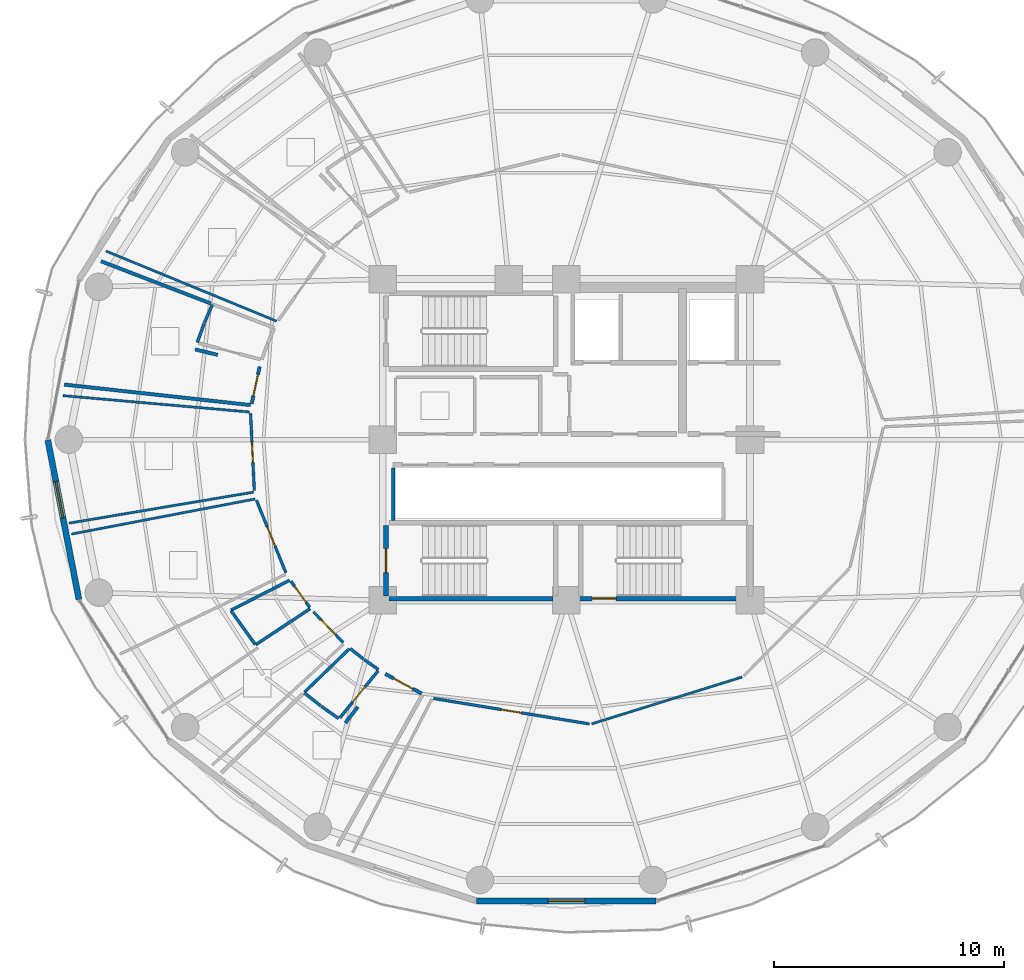
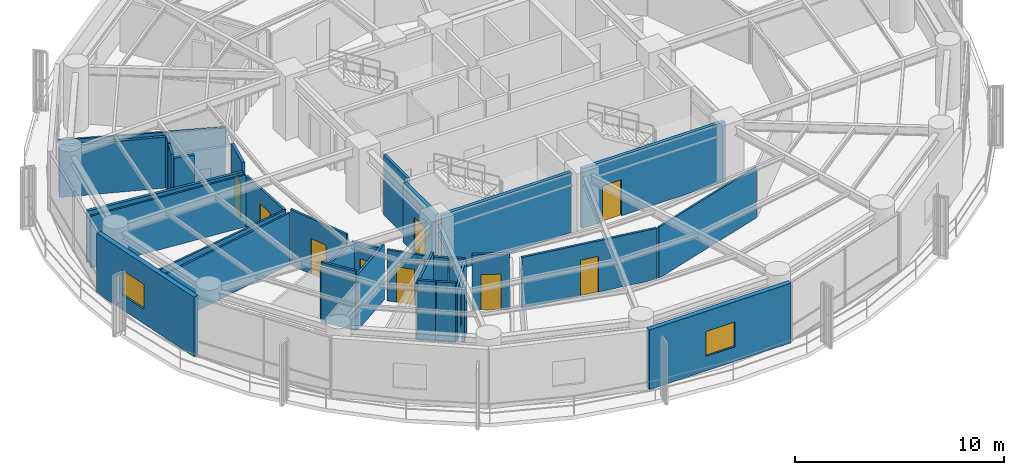
# One storey, part 21 of 28: 33 walls, 10 doors, 2 windows, 12 openings.
"""IFC4 building model written with IfcOpenShell, lengths in metres."""

from ifc_helpers import new_model, si_unit, direction, frame, frame_2d, origin, place, context, subcontext, project, spatial, rectangle, extrude, material, layer, layer_set, type_object, element, fill, save


model = new_model("IFC4")

# Units and contexts
model_context = context("Model", 3, precision=1e-05, world=origin(), true_north=direction((0.0, 1.0)))
body_context = subcontext(model_context, "Body", "Model", "MODEL_VIEW")
ifc_project = project(units=[si_unit("LENGTHUNIT", "METRE"), si_unit("AREAUNIT", "SQUARE_METRE"), si_unit("VOLUMEUNIT", "CUBIC_METRE"), si_unit("PLANEANGLEUNIT", "RADIAN"), si_unit("MASSUNIT", "GRAM", prefix="KILO")], contexts=[model_context])

# Site, building, storey
site_placement = place(None, origin())
site = spatial("IfcSite", under=ifc_project, at=site_placement, CompositionType="ELEMENT")
building_placement = place(site_placement, origin())
building = spatial("IfcBuilding", under=site, at=building_placement, Name="Kelanora Arch Commons", CompositionType="ELEMENT")
storey_placement = place(building_placement, frame((0.0, 0.0, 161.85009765625)))
storey = spatial("IfcBuildingStorey", under=building, at=storey_placement, Name="L41", CompositionType="ELEMENT", Elevation=161.85009765625)

# Wall
ifc_material_1 = material(Name="Autoclaved aerated concrete blockwork with fire plaster", Category="masonry")
ifc_layer_1 = layer(ifc_material_1, 0.14990234375)
ifc_layer_set_1 = layer_set([ifc_layer_1], Name="Autoclaved aerated concrete blockwork with fire plaster")
wall_type_1 = type_object("IfcWallType", Name="W-COMP-150", PredefinedType="PARTITIONING", material=ifc_layer_set_1)
wall_1_placement = place(storey_placement, frame((66.4599609375, 54.47998046875, 0.0), z_axis=(0.0, 0.0, 1.0), x_axis=(0.0, 1.0, 0.0)))
element("IfcWall", 1, at=wall_1_placement, inside=storey, type_object=wall_type_1, Name="South Lift Bank West Wall L41", PredefinedType="PARTITIONING", context=body_context, shape_type="SweptSolid", body=[
    extrude(rectangle(XDim=2.2900390625, YDim=0.14990234375, at=frame_2d((1.14501953125, 0.0))), origin(), (0.0, 0.0, 1.0), 3.47998046875),
])

# Wall, opening, door
wall_2_placement = place(storey_placement, frame((60.63623046875, 61.186279296875, 0.0), z_axis=(0.0, 0.0, 1.0), x_axis=(-0.211879832264, -0.977295726318, 0.0)))
wall_2 = element("IfcWall", 2, at=wall_2_placement, inside=storey, type_object=wall_type_1, Name="Cluster Bedroom L41-03 Entry Partition", PredefinedType="PARTITIONING", context=body_context, shape_type="SweptSolid", body=[
    extrude(rectangle(XDim=1.6591796875, YDim=0.14990234375, at=frame_2d((0.82958984375, 0.0))), origin(), (0.0, 0.0, 1.0), 3.47998046875),
])
opening_1_placement = place(wall_2_placement, frame((0.35498046875, 0.0, 0.0)))
opening_1 = element("IfcOpeningElement", 3, at=opening_1_placement, cuts=wall_2, Name="Opening D-CLU1", PredefinedType="OPENING", context=body_context, shape_type="SweptSolid", body=[
    extrude(rectangle(XDim=0.949951171875, YDim=2.080078125, at=frame_2d((0.47509765625, 1.0400390625))), frame((0.0, 0.0849609375, 0.0), z_axis=(0.0, -1.0, 0.0), x_axis=(1.0, 0.0, 0.0)), (0.0, 0.0, 1.0), 0.169921875),
])
ifc_material_2 = material(Name="Solid-core acoustic timber cluster entry fire door", Category="wood")
door_type_1 = type_object("IfcDoorType", Name="D-CLU-95", OperationType="NOTDEFINED", PredefinedType="DOOR", material=ifc_material_2)
door_1_placement = place(opening_1_placement, origin())
door_1 = element("IfcDoor", 4, at=door_1_placement, inside=storey, type_object=door_type_1, Name="Cluster Bedroom L41-03 Door", OperationType="SINGLE_SWING_RIGHT", OverallHeight=2.080078125, OverallWidth=0.949951171875, PredefinedType="DOOR", context=body_context, shape_type="SweptSolid", body=[
    extrude(rectangle(XDim=0.949951171875, YDim=2.080078125, at=frame_2d((0.47509765625, 1.0400390625))), frame((0.0, 0.02490234375, 0.0), z_axis=(0.0, -1.0, 0.0), x_axis=(1.0, 0.0, 0.0)), (0.0, 0.0, 1.0), 0.050048828125),
])
fill(opening_1, door_1)

wall_3_placement = place(storey_placement, frame((66.105712890625, 47.798583984375, 0.0), z_axis=(0.0, 0.0, 1.0), x_axis=(0.880052757217, -0.474875925389, 0.0)))
wall_3 = element("IfcWall", 5, at=wall_3_placement, inside=storey, type_object=wall_type_1, Name="Cluster Bedroom L41-07 Entry Partition", PredefinedType="PARTITIONING", context=body_context, shape_type="SweptSolid", body=[
    extrude(rectangle(XDim=1.800537109375, YDim=0.14990234375, at=frame_2d((0.900390625, 0.0))), origin(), (0.0, 0.0, 1.0), 3.23486328125),
])
opening_2_placement = place(wall_3_placement, frame((0.425048828125, 0.0, 0.0)))
opening_2 = element("IfcOpeningElement", 6, at=opening_2_placement, cuts=wall_3, Name="Opening D-CLU1", PredefinedType="OPENING", context=body_context, shape_type="SweptSolid", body=[
    extrude(rectangle(XDim=0.949951171875, YDim=2.080078125, at=frame_2d((0.47509765625, 1.0400390625))), frame((0.0, 0.0849609375, 0.0), z_axis=(0.0, -1.0, 0.0), x_axis=(1.0, 0.0, 0.0)), (0.0, 0.0, 1.0), 0.169921875),
])
door_2_placement = place(opening_2_placement, origin())
door_2 = element("IfcDoor", 7, at=door_2_placement, inside=storey, type_object=door_type_1, Name="Cluster Bedroom L41-07 Door", OperationType="SINGLE_SWING_RIGHT", OverallHeight=2.080078125, OverallWidth=0.949951171875, PredefinedType="DOOR", context=body_context, shape_type="SweptSolid", body=[
    extrude(rectangle(XDim=0.949951171875, YDim=2.080078125, at=frame_2d((0.47509765625, 1.0400390625))), frame((0.0, 0.02490234375, 0.0), z_axis=(0.0, -1.0, 0.0), x_axis=(1.0, 0.0, 0.0)), (0.0, 0.0, 1.0), 0.050048828125),
])
fill(opening_2, door_2)

# Walls
wall_4_placement = place(storey_placement, frame((60.232177734375, 59.510498046875, 0.0), z_axis=(0.0, 0.0, 1.0), x_axis=(-0.993990557846, 0.109465843587, 0.0)))
element("IfcWall", 8, at=wall_4_placement, inside=storey, type_object=wall_type_1, Name="Cluster Bedroom L41-03 Enclosure Partition 2", PredefinedType="PARTITIONING", context=body_context, shape_type="SweptSolid", body=[
    extrude(rectangle(XDim=8.158447265625, YDim=0.14990234375, at=frame_2d((4.0791015625, 0.0))), origin(), (0.0, 0.0, 1.0), 3.02490234375),
])
wall_5_placement = place(storey_placement, frame((53.723388671875, 65.776611328125, 0.0), z_axis=(0.0, 0.0, 1.0), x_axis=(0.933303856141, -0.359087610636, 0.0)))
element("IfcWall", 9, at=wall_5_placement, inside=storey, type_object=wall_type_1, Name="Cluster Bedroom L41-03 Enclosure Partition 5", PredefinedType="PARTITIONING", context=body_context, shape_type="SweptSolid", body=[
    extrude(rectangle(XDim=5.125, YDim=0.14990234375, at=frame_2d((2.5625, 0.0))), origin(), (0.0, 0.0, 1.0), 2.974853515625),
])
wall_6_placement = place(storey_placement, frame((57.82080078125, 61.935546875, 0.0), z_axis=(0.0, 0.0, 1.0), x_axis=(0.971451046406, -0.237240098712, 0.0)))
element("IfcWall", 10, at=wall_6_placement, inside=storey, type_object=wall_type_1, Name="Cluster Bedroom L41-03 Enclosure Partition 7", PredefinedType="PARTITIONING", context=body_context, shape_type="SweptSolid", body=[
    extrude(rectangle(XDim=1.009521484375, YDim=0.14990234375, at=frame_2d((0.5048828125, 0.0))), origin(), (0.0, 0.0, 1.0), 3.1748046875),
])
wall_7_placement = place(storey_placement, frame((64.37060546875, 45.66357421875, 0.0), z_axis=(0.0, 0.0, 1.0), x_axis=(0.613921364126, 0.789367188747, 0.0)))
element("IfcWall", 11, at=wall_7_placement, inside=storey, type_object=wall_type_1, Name="Cluster Bedroom L41-07 Enclosure Partition 7", PredefinedType="PARTITIONING", context=body_context, shape_type="SweptSolid", body=[
    extrude(rectangle(XDim=0.878173828125, YDim=0.14990234375, at=frame_2d((0.43896484375, 0.0))), origin(), (0.0, 0.0, 1.0), 2.974853515625),
])

# Wall, opening, window
ifc_material_3 = material(Name="Precast concrete C40/50 with terracotta rainscreen", Category="masonry")
ifc_layer_2 = layer(ifc_material_3, 0.260009765625)
ifc_layer_set_2 = layer_set([ifc_layer_2], Name="Precast concrete C40/50 with terracotta rainscreen")
wall_type_2 = type_object("IfcWallType", Name="W-EXT-TC", PredefinedType="SOLIDWALL", material=ifc_layer_set_2)
wall_8_placement = place(storey_placement, frame((51.40283203125, 57.9853515625, 0.0), z_axis=(0.0, 0.0, 1.0), x_axis=(0.191716984769, -0.981450252306, 0.0)))
wall_8 = element("IfcWall", 12, at=wall_8_placement, inside=storey, type_object=wall_type_2, Name="Terracotta Exterior Wall L41-B09", PredefinedType="SOLIDWALL", context=body_context, shape_type="SweptSolid", body=[
    extrude(rectangle(XDim=7.0791015625, YDim=0.260009765625, at=frame_2d((3.53955078125, 0.0))), origin(), (0.0, 0.0, 1.0), 3.474853515625),
])
opening_3_placement = place(wall_8_placement, frame((1.840087890625, 0.0, 0.85009765625)))
opening_3 = element("IfcOpeningElement", 13, at=opening_3_placement, cuts=wall_8, Name="Opening WN-01", PredefinedType="OPENING", context=body_context, shape_type="SweptSolid", body=[
    extrude(rectangle(XDim=1.60009765625, YDim=1.449951171875, at=frame_2d((0.800048828125, 0.72509765625))), frame((0.0, 0.14013671875, 0.0), z_axis=(0.0, -1.0, 0.0), x_axis=(1.0, 0.0, 0.0)), (0.0, 0.0, 1.0), 0.280029296875),
])
ifc_material_4 = material(Name="Terracotta-anodised aluminium frame with operable low-E glazing", Category="masonry")
window_type = type_object("IfcWindowType", Name="WIN-CL-18", PartitioningType="DOUBLE_PANEL_VERTICAL", PredefinedType="WINDOW", material=ifc_material_4)
window_1_placement = place(opening_3_placement, origin())
window_1 = element("IfcWindow", 14, at=window_1_placement, inside=storey, type_object=window_type, Name="Co-Living Operable Window L41-B09", OverallHeight=1.449951171875, OverallWidth=1.60009765625, PartitioningType="SINGLE_PANEL", PredefinedType="WINDOW", context=body_context, shape_type="SweptSolid", body=[
    extrude(rectangle(XDim=1.60009765625, YDim=1.449951171875, at=frame_2d((0.800048828125, 0.72509765625))), frame((0.0, 0.030029296875, 0.0), z_axis=(0.0, -1.0, 0.0), x_axis=(1.0, 0.0, 0.0)), (0.0, 0.0, 1.0), 0.06005859375),
])
fill(opening_3, window_1)

wall_9_placement = place(storey_placement, frame((70.090576171875, 37.909912109375, 0.0), z_axis=(0.0, 0.0, 1.0), x_axis=(1.0, 0.0, 0.0)))
wall_9 = element("IfcWall", 15, at=wall_9_placement, inside=storey, type_object=wall_type_2, Name="Terracotta Exterior Wall L41-B13", PredefinedType="SOLIDWALL", context=body_context, shape_type="SweptSolid", body=[
    extrude(rectangle(XDim=7.81884765625, YDim=0.260009765625, at=frame_2d((3.909423828125, 0.0))), origin(), (0.0, 0.0, 1.0), 3.474853515625),
])
opening_4_placement = place(wall_9_placement, frame((3.10888671875, 0.0, 0.85009765625)))
opening_4 = element("IfcOpeningElement", 16, at=opening_4_placement, cuts=wall_9, Name="Opening WN-01", PredefinedType="OPENING", context=body_context, shape_type="SweptSolid", body=[
    extrude(rectangle(XDim=1.60009765625, YDim=1.449951171875, at=frame_2d((0.800048828125, 0.72509765625))), frame((0.0, 0.14013671875, 0.0), z_axis=(0.0, -1.0, 0.0), x_axis=(1.0, 0.0, 0.0)), (0.0, 0.0, 1.0), 0.280029296875),
])
window_2_placement = place(opening_4_placement, origin())
window_2 = element("IfcWindow", 17, at=window_2_placement, inside=storey, type_object=window_type, Name="Co-Living Operable Window L41-B13", OverallHeight=1.449951171875, OverallWidth=1.60009765625, PartitioningType="SINGLE_PANEL", PredefinedType="WINDOW", context=body_context, shape_type="SweptSolid", body=[
    extrude(rectangle(XDim=1.60009765625, YDim=1.449951171875, at=frame_2d((0.800048828125, 0.72509765625))), frame((0.0, 0.030029296875, 0.0), z_axis=(0.0, -1.0, 0.0), x_axis=(1.0, 0.0, 0.0)), (0.0, 0.0, 1.0), 0.06005859375),
])
fill(opening_4, window_2)

# Walls
ifc_material_5 = material(Name="Lightweight fire-rated acoustic stud partition")
ifc_layer_3 = layer(ifc_material_5, 0.10009765625)
ifc_layer_set_3 = layer_set([ifc_layer_3], Name="Lightweight fire-rated acoustic stud partition")
wall_type_3 = type_object("IfcWallType", Name="W-PART-100", PredefinedType="PARTITIONING", material=ifc_layer_set_3)
wall_10_placement = place(storey_placement, frame((75.09912109375, 45.618896484375, 0.0), z_axis=(0.0, 0.0, 1.0), x_axis=(0.95483862135, 0.297124901647, 0.0)))
element("IfcWall", 18, at=wall_10_placement, inside=storey, type_object=wall_type_3, Name="South-East Social Sky Lounge L41 Enclosure Partition 2", PredefinedType="PARTITIONING", context=body_context, shape_type="SweptSolid", body=[
    extrude(rectangle(XDim=6.86669921875, YDim=0.10009765625, at=frame_2d((3.433349609375, 0.0))), origin(), (0.0, 0.0, 1.0), 2.974853515625),
])
wall_11_placement = place(storey_placement, frame((61.375, 63.164306640625, 0.0), z_axis=(0.0, 0.0, 1.0), x_axis=(-0.924943940784, 0.380103546953, 0.0)))
element("IfcWall", 19, at=wall_11_placement, inside=storey, type_object=wall_type_3, Name="Shared Cluster Kitchen L41-02 Enclosure Partition 2", PredefinedType="PARTITIONING", context=body_context, shape_type="SweptSolid", body=[
    extrude(rectangle(XDim=8.038330078125, YDim=0.10009765625, at=frame_2d((4.01904296875, 0.0))), origin(), (0.0, 0.0, 1.0), 2.974853515625),
])
wall_12_placement = place(storey_placement, frame((60.364501953125, 55.71630859375, 0.0), z_axis=(0.0, 0.0, 1.0), x_axis=(-0.986127701838, -0.165988420279, 0.0)))
element("IfcWall", 20, at=wall_12_placement, inside=storey, type_object=wall_type_3, Name="Quiet Seminar Study Room L41-04 Enclosure Partition 2", PredefinedType="PARTITIONING", context=body_context, shape_type="SweptSolid", body=[
    extrude(rectangle(XDim=8.14404296875, YDim=0.10009765625, at=frame_2d((4.072021484375, 0.0))), origin(), (0.0, 0.0, 1.0), 3.02490234375),
])
wall_13_placement = place(storey_placement, frame((52.063720703125, 59.92138671875, 0.0), z_axis=(0.0, 0.0, 1.0), x_axis=(0.996168646625, -0.087453001553, 0.0)))
element("IfcWall", 21, at=wall_13_placement, inside=storey, type_object=wall_type_3, Name="Quiet Seminar Study Room L41-04 Enclosure Partition 4", PredefinedType="PARTITIONING", context=body_context, shape_type="SweptSolid", body=[
    extrude(rectangle(XDim=8.162841796875, YDim=0.10009765625, at=frame_2d((4.08154296875, 0.0))), origin(), (0.0, 0.0, 1.0), 3.02490234375),
])
wall_14_placement = place(storey_placement, frame((52.438232421875, 53.888427734375, 0.0), z_axis=(0.0, 0.0, 1.0), x_axis=(0.982187250003, 0.187904778897, 0.0)))
element("IfcWall", 22, at=wall_14_placement, inside=storey, type_object=wall_type_3, Name="Social Sky Lounge L41-05 Enclosure Partition 4", PredefinedType="PARTITIONING", context=body_context, shape_type="SweptSolid", body=[
    extrude(rectangle(XDim=8.137451171875, YDim=0.10009765625, at=frame_2d((4.06884765625, 0.0))), origin(), (0.0, 0.0, 1.0), 3.02490234375),
])

# Wall, opening, door
ifc_material_6 = material(Name="Acoustic twin-stud fire-rated gypsum partition")
ifc_layer_4 = layer(ifc_material_6, 0.1201171875)
ifc_layer_set_4 = layer_set([ifc_layer_4], Name="Acoustic twin-stud fire-rated gypsum partition")
wall_type_4 = type_object("IfcWallType", Name="W-PART-120", PredefinedType="PARTITIONING", material=ifc_layer_set_4)
wall_15_placement = place(storey_placement, frame((68.214111328125, 46.725341796875, 0.0), z_axis=(0.0, 0.0, 1.0), x_axis=(0.986922164317, -0.161197523493, 0.0)))
wall_15 = element("IfcWall", 23, at=wall_15_placement, inside=storey, type_object=wall_type_4, Name="South-East Social Sky Lounge L41 Entry Partition", PredefinedType="PARTITIONING", context=body_context, shape_type="SweptSolid", body=[
    extrude(rectangle(XDim=6.87744140625, YDim=0.1201171875, at=frame_2d((3.438720703125, 0.0))), origin(), (0.0, 0.0, 1.0), 2.974853515625),
])
opening_5_placement = place(wall_15_placement, frame((2.989013671875, 0.0, 0.0)))
opening_5 = element("IfcOpeningElement", 24, at=opening_5_placement, cuts=wall_15, Name="Opening D-RM1", PredefinedType="OPENING", context=body_context, shape_type="SweptSolid", body=[
    extrude(rectangle(XDim=0.89990234375, YDim=2.080078125, at=frame_2d((0.449951171875, 1.0400390625))), frame((0.0, 0.070068359375, 0.0), z_axis=(0.0, -1.0, 0.0), x_axis=(1.0, 0.0, 0.0)), (0.0, 0.0, 1.0), 0.14013671875),
])
ifc_material_7 = material(Name="Acoustic fire-rated timber study and lounge door", Category="wood")
door_type_2 = type_object("IfcDoorType", Name="D-ROOM-90", OperationType="NOTDEFINED", PredefinedType="DOOR", material=ifc_material_7)
door_3_placement = place(opening_5_placement, origin())
door_3 = element("IfcDoor", 25, at=door_3_placement, inside=storey, type_object=door_type_2, Name="South-East Social Sky Lounge L41 Door", OperationType="SINGLE_SWING_RIGHT", OverallHeight=2.080078125, OverallWidth=0.89990234375, PredefinedType="DOOR", context=body_context, shape_type="SweptSolid", body=[
    extrude(rectangle(XDim=0.89990234375, YDim=2.080078125, at=frame_2d((0.449951171875, 1.0400390625))), frame((0.0, 0.02490234375, 0.0), z_axis=(0.0, -1.0, 0.0), x_axis=(1.0, 0.0, 0.0)), (0.0, 0.0, 1.0), 0.050048828125),
])
fill(opening_5, door_3)

wall_16_placement = place(storey_placement, frame((60.23779296875, 59.14404296875, 0.0), z_axis=(0.0, 0.0, 1.0), x_axis=(0.048537190422, -0.998821375996, 0.0)))
wall_16 = element("IfcWall", 26, at=wall_16_placement, inside=storey, type_object=wall_type_4, Name="Quiet Seminar Study Room L41-04 Entry Partition", PredefinedType="PARTITIONING", context=body_context, shape_type="SweptSolid", body=[
    extrude(rectangle(XDim=3.364990234375, YDim=0.1201171875, at=frame_2d((1.6826171875, 0.0))), origin(), (0.0, 0.0, 1.0), 2.974853515625),
])
opening_6_placement = place(wall_16_placement, frame((1.23291015625, 0.0, 0.0)))
opening_6 = element("IfcOpeningElement", 27, at=opening_6_placement, cuts=wall_16, Name="Opening D-RM1", PredefinedType="OPENING", context=body_context, shape_type="SweptSolid", body=[
    extrude(rectangle(XDim=0.89990234375, YDim=2.080078125, at=frame_2d((0.449951171875, 1.0400390625))), frame((0.0, 0.070068359375, 0.0), z_axis=(0.0, -1.0, 0.0), x_axis=(1.0, 0.0, 0.0)), (0.0, 0.0, 1.0), 0.14013671875),
])
door_4_placement = place(opening_6_placement, origin())
door_4 = element("IfcDoor", 28, at=door_4_placement, inside=storey, type_object=door_type_2, Name="Quiet Seminar Study Room L41-04 Door", OperationType="SINGLE_SWING_LEFT", OverallHeight=2.080078125, OverallWidth=0.89990234375, PredefinedType="DOOR", context=body_context, shape_type="SweptSolid", body=[
    extrude(rectangle(XDim=0.89990234375, YDim=2.080078125, at=frame_2d((0.449951171875, 1.0400390625))), frame((0.0, 0.02490234375, 0.0), z_axis=(0.0, -1.0, 0.0), x_axis=(1.0, 0.0, 0.0)), (0.0, 0.0, 1.0), 0.050048828125),
])
fill(opening_6, door_4)

wall_17_placement = place(storey_placement, frame((60.492431640625, 55.369384765625, 0.0), z_axis=(0.0, 0.0, 1.0), x_axis=(0.3756420079, -0.926764847143, 0.0)))
wall_17 = element("IfcWall", 29, at=wall_17_placement, inside=storey, type_object=wall_type_4, Name="Social Sky Lounge L41-05 Entry Partition", PredefinedType="PARTITIONING", context=body_context, shape_type="SweptSolid", body=[
    extrude(rectangle(XDim=3.412841796875, YDim=0.1201171875, at=frame_2d((1.70654296875, 0.0))), origin(), (0.0, 0.0, 1.0), 3.23486328125),
])
opening_7_placement = place(wall_17_placement, frame((1.256103515625, 0.0, 0.0)))
opening_7 = element("IfcOpeningElement", 30, at=opening_7_placement, cuts=wall_17, Name="Opening D-RM1", PredefinedType="OPENING", context=body_context, shape_type="SweptSolid", body=[
    extrude(rectangle(XDim=0.89990234375, YDim=2.080078125, at=frame_2d((0.449951171875, 1.0400390625))), frame((0.0, 0.070068359375, 0.0), z_axis=(0.0, -1.0, 0.0), x_axis=(1.0, 0.0, 0.0)), (0.0, 0.0, 1.0), 0.14013671875),
])
door_5_placement = place(opening_7_placement, origin())
door_5 = element("IfcDoor", 31, at=door_5_placement, inside=storey, type_object=door_type_2, Name="Social Sky Lounge L41-05 Door", OperationType="SINGLE_SWING_RIGHT", OverallHeight=2.080078125, OverallWidth=0.89990234375, PredefinedType="DOOR", context=body_context, shape_type="SweptSolid", body=[
    extrude(rectangle(XDim=0.89990234375, YDim=2.080078125, at=frame_2d((0.449951171875, 1.0400390625))), frame((0.0, 0.02490234375, 0.0), z_axis=(0.0, -1.0, 0.0), x_axis=(1.0, 0.0, 0.0)), (0.0, 0.0, 1.0), 0.050048828125),
])
fill(opening_7, door_5)

wall_18_placement = place(storey_placement, frame((62.976806640625, 50.5, 0.0), z_axis=(0.0, 0.0, 1.0), x_axis=(0.69801962686, -0.71607862733, 0.0)))
wall_18 = element("IfcWall", 32, at=wall_18_placement, inside=storey, type_object=wall_type_4, Name="Tutorial Study Alcove L41-06 Entry Partition", PredefinedType="PARTITIONING", context=body_context, shape_type="SweptSolid", body=[
    extrude(rectangle(XDim=1.86572265625, YDim=0.1201171875, at=frame_2d((0.932861328125, 0.0))), origin(), (0.0, 0.0, 1.0), 2.974853515625),
])
opening_8_placement = place(wall_18_placement, frame((0.48291015625, 0.0, 0.0)))
opening_8 = element("IfcOpeningElement", 33, at=opening_8_placement, cuts=wall_18, Name="Opening D-RM1", PredefinedType="OPENING", context=body_context, shape_type="SweptSolid", body=[
    extrude(rectangle(XDim=0.89990234375, YDim=2.080078125, at=frame_2d((0.449951171875, 1.0400390625))), frame((0.0, 0.070068359375, 0.0), z_axis=(0.0, -1.0, 0.0), x_axis=(1.0, 0.0, 0.0)), (0.0, 0.0, 1.0), 0.14013671875),
])
door_6_placement = place(opening_8_placement, origin())
door_6 = element("IfcDoor", 34, at=door_6_placement, inside=storey, type_object=door_type_2, Name="Tutorial Study Alcove L41-06 Door", OperationType="SINGLE_SWING_RIGHT", OverallHeight=2.080078125, OverallWidth=0.89990234375, PredefinedType="DOOR", context=body_context, shape_type="SweptSolid", body=[
    extrude(rectangle(XDim=0.89990234375, YDim=2.080078125, at=frame_2d((0.449951171875, 1.0400390625))), frame((0.0, 0.02490234375, 0.0), z_axis=(0.0, -1.0, 0.0), x_axis=(1.0, 0.0, 0.0)), (0.0, 0.0, 1.0), 0.050048828125),
])
fill(opening_8, door_6)

ifc_material_8 = material(Name="Concrete C40/50", Category="concrete")
ifc_layer_5 = layer(ifc_material_8, 0.199951171875)
ifc_layer_set_5 = layer_set([ifc_layer_5], Name="Concrete C40/50")
wall_type_5 = type_object("IfcWallType", Name="W-STAIR-200", PredefinedType="SHEAR", material=ifc_layer_set_5)
wall_19_placement = place(storey_placement, frame((74.0, 51.080078125, 0.0), z_axis=(0.0, 0.0, 1.0), x_axis=(1.0, 0.0, 0.0)))
wall_19 = element("IfcWall", 35, at=wall_19_placement, inside=storey, type_object=wall_type_5, Name="Stair ST-T2 Shaft Wall S L41", PredefinedType="SHEAR", context=body_context, shape_type="SweptSolid", body=[
    extrude(rectangle(XDim=7.89990234375, YDim=0.199951171875, at=frame_2d((3.949951171875, 0.0))), origin(), (0.0, 0.0, 1.0), 3.489990234375),
])
opening_9_placement = place(wall_19_placement, frame((1.1201171875, 0.0, 0.0)))
opening_9 = element("IfcOpeningElement", 36, at=opening_9_placement, cuts=wall_19, Name="Opening D-ST1", PredefinedType="OPENING", context=body_context, shape_type="SweptSolid", body=[
    extrude(rectangle(XDim=1.050048828125, YDim=2.10009765625, at=frame_2d((0.52490234375, 1.050048828125))), frame((0.0, 0.10986328125, 0.0), z_axis=(0.0, -1.0, 0.0), x_axis=(1.0, 0.0, 0.0)), (0.0, 0.0, 1.0), 0.219970703125),
])
ifc_material_9 = material(Name="Steel fire-rated stairwell escape door", Category="steel")
door_type_3 = type_object("IfcDoorType", Name="D-STAIR-110", OperationType="NOTDEFINED", PredefinedType="DOOR", material=ifc_material_9)
door_7_placement = place(opening_9_placement, origin())
door_7 = element("IfcDoor", 37, at=door_7_placement, inside=storey, type_object=door_type_3, Name="Stair ST-T2 Escape Door L41", OperationType="SINGLE_SWING_LEFT", OverallHeight=2.10009765625, OverallWidth=1.050048828125, PredefinedType="DOOR", context=body_context, shape_type="SweptSolid", body=[
    extrude(rectangle(XDim=1.050048828125, YDim=2.10009765625, at=frame_2d((0.52490234375, 1.050048828125))), frame((0.0, 0.02490234375, 0.0), z_axis=(0.0, -1.0, 0.0), x_axis=(1.0, 0.0, 0.0)), (0.0, 0.0, 1.0), 0.050048828125),
])
fill(opening_9, door_7)

# Wall
wall_20_placement = place(storey_placement, frame((66.260009765625, 51.080078125, 0.0), z_axis=(0.0, 0.0, 1.0), x_axis=(1.0, 0.0, 0.0)))
element("IfcWall", 38, at=wall_20_placement, inside=storey, type_object=wall_type_5, Name="Stair ST-T3 Shaft Wall S L41", PredefinedType="SHEAR", context=body_context, shape_type="SweptSolid", body=[
    extrude(rectangle(XDim=7.159912109375, YDim=0.199951171875, at=frame_2d((3.580078125, 0.0))), origin(), (0.0, 0.0, 1.0), 3.489990234375),
])

# Wall, opening, door
wall_21_placement = place(storey_placement, frame((66.139892578125, 54.27001953125, 0.0), z_axis=(0.0, 0.0, 1.0), x_axis=(0.0, -1.0, 0.0)))
wall_21 = element("IfcWall", 39, at=wall_21_placement, inside=storey, type_object=wall_type_5, Name="Stair ST-T3 Shaft Wall W L41", PredefinedType="SHEAR", context=body_context, shape_type="SweptSolid", body=[
    extrude(rectangle(XDim=3.070068359375, YDim=0.199951171875, at=frame_2d((1.53515625, 0.0))), origin(), (0.0, 0.0, 1.0), 3.489990234375),
])
opening_10_placement = place(wall_21_placement, frame((1.010009765625, 0.0, 0.0)))
opening_10 = element("IfcOpeningElement", 40, at=opening_10_placement, cuts=wall_21, Name="Opening D-ST1", PredefinedType="OPENING", context=body_context, shape_type="SweptSolid", body=[
    extrude(rectangle(XDim=1.050048828125, YDim=2.10009765625, at=frame_2d((0.52490234375, 1.050048828125))), frame((0.0, 0.10986328125, 0.0), z_axis=(0.0, -1.0, 0.0), x_axis=(1.0, 0.0, 0.0)), (0.0, 0.0, 1.0), 0.219970703125),
])
door_8_placement = place(opening_10_placement, origin())
door_8 = element("IfcDoor", 41, at=door_8_placement, inside=storey, type_object=door_type_3, Name="Stair ST-T3 Escape Door L41", OperationType="SINGLE_SWING_LEFT", OverallHeight=2.10009765625, OverallWidth=1.050048828125, PredefinedType="DOOR", context=body_context, shape_type="SweptSolid", body=[
    extrude(rectangle(XDim=1.050048828125, YDim=2.10009765625, at=frame_2d((0.52490234375, 1.050048828125))), frame((0.0, 0.02490234375, 0.0), z_axis=(0.0, -1.0, 0.0), x_axis=(1.0, 0.0, 0.0)), (0.0, 0.0, 1.0), 0.050048828125),
])
fill(opening_10, door_8)

ifc_material_10 = material(Name="Moisture-resistant fire-rated cement-board plumbing wall")
ifc_layer_6 = layer(ifc_material_10, 0.1298828125)
ifc_layer_set_6 = layer_set([ifc_layer_6], Name="Moisture-resistant fire-rated cement-board plumbing wall")
wall_type_6 = type_object("IfcWallType", Name="W-WET-120", PredefinedType="PLUMBINGWALL", material=ifc_layer_set_6)
wall_22_placement = place(storey_placement, frame((61.9951171875, 51.836181640625, 0.0), z_axis=(0.0, 0.0, 1.0), x_axis=(0.583589438572, -0.81204886995, 0.0)))
wall_22 = element("IfcWall", 42, at=wall_22_placement, inside=storey, type_object=wall_type_6, Name="Accessible Shared Floor WC L41-06 Entry Partition", PredefinedType="PLUMBINGWALL", context=body_context, shape_type="SweptSolid", body=[
    extrude(rectangle(XDim=1.403076171875, YDim=0.1298828125, at=frame_2d((0.70166015625, 0.0))), origin(), (0.0, 0.0, 1.0), 2.974853515625),
])
opening_11_placement = place(wall_22_placement, frame((0.27197265625, 0.0, 0.0)))
opening_11 = element("IfcOpeningElement", 43, at=opening_11_placement, cuts=wall_22, Name="Opening D-BT1", PredefinedType="OPENING", context=body_context, shape_type="SweptSolid", body=[
    extrude(rectangle(XDim=0.860107421875, YDim=2.050048828125, at=frame_2d((0.43017578125, 1.02490234375))), frame((0.0, 0.074951171875, 0.0), z_axis=(0.0, -1.0, 0.0), x_axis=(1.0, 0.0, 0.0)), (0.0, 0.0, 1.0), 0.14990234375),
])
ifc_material_11 = material(Name="Moisture-sealed fire-rated accessible bathroom door")
door_type_4 = type_object("IfcDoorType", Name="D-BATH-85", OperationType="NOTDEFINED", PredefinedType="DOOR", material=ifc_material_11)
door_9_placement = place(opening_11_placement, origin())
door_9 = element("IfcDoor", 44, at=door_9_placement, inside=storey, type_object=door_type_4, Name="Accessible Shared Floor WC L41-06 Door", OperationType="SINGLE_SWING_LEFT", OverallHeight=2.050048828125, OverallWidth=0.860107421875, PredefinedType="DOOR", context=body_context, shape_type="SweptSolid", body=[
    extrude(rectangle(XDim=0.860107421875, YDim=2.050048828125, at=frame_2d((0.43017578125, 1.02490234375))), frame((0.0, 0.02490234375, 0.0), z_axis=(0.0, -1.0, 0.0), x_axis=(1.0, 0.0, 0.0)), (0.0, 0.0, 1.0), 0.050048828125),
])
fill(opening_11, door_9)

wall_23_placement = place(storey_placement, frame((65.789306640625, 47.926513671875, 0.0), z_axis=(0.0, 0.0, 1.0), x_axis=(-0.630358119741, -0.776304476914, 0.0)))
wall_23 = element("IfcWall", 45, at=wall_23_placement, inside=storey, type_object=wall_type_6, Name="En-Suite Shower WC L41-07 Entry Partition", PredefinedType="PLUMBINGWALL", context=body_context, shape_type="SweptSolid", body=[
    extrude(rectangle(XDim=2.626220703125, YDim=0.1298828125, at=frame_2d((1.31298828125, 0.0))), origin(), (0.0, 0.0, 1.0), 2.974853515625),
])
opening_12_placement = place(wall_23_placement, frame((0.883056640625, 0.0, 0.0)))
opening_12 = element("IfcOpeningElement", 46, at=opening_12_placement, cuts=wall_23, Name="Opening D-BT1", PredefinedType="OPENING", context=body_context, shape_type="SweptSolid", body=[
    extrude(rectangle(XDim=0.860107421875, YDim=2.050048828125, at=frame_2d((0.43017578125, 1.02490234375))), frame((0.0, 0.074951171875, 0.0), z_axis=(0.0, -1.0, 0.0), x_axis=(1.0, 0.0, 0.0)), (0.0, 0.0, 1.0), 0.14990234375),
])
door_10_placement = place(opening_12_placement, origin())
door_10 = element("IfcDoor", 47, at=door_10_placement, inside=storey, type_object=door_type_4, Name="En-Suite Shower WC L41-07 Door", OperationType="SINGLE_SWING_LEFT", OverallHeight=2.050048828125, OverallWidth=0.860107421875, PredefinedType="DOOR", context=body_context, shape_type="SweptSolid", body=[
    extrude(rectangle(XDim=0.860107421875, YDim=2.050048828125, at=frame_2d((0.43017578125, 1.02490234375))), frame((0.0, 0.02490234375, 0.0), z_axis=(0.0, -1.0, 0.0), x_axis=(1.0, 0.0, 0.0)), (0.0, 0.0, 1.0), 0.050048828125),
])
fill(opening_12, door_10)

# Walls
wall_24_placement = place(storey_placement, frame((57.918701171875, 62.243896484375, 0.0), z_axis=(0.0, 0.0, 1.0), x_axis=(0.339790338004, 0.9405012101, 0.0)))
element("IfcWall", 48, at=wall_24_placement, inside=storey, type_object=wall_type_6, Name="En-Suite Shower WC L41-03 Enclosure Partition 4", PredefinedType="PLUMBINGWALL", context=body_context, shape_type="SweptSolid", body=[
    extrude(rectangle(XDim=0.863525390625, YDim=0.1298828125, at=frame_2d((0.431640625, 0.0))), origin(), (0.0, 0.0, 1.0), 3.1748046875),
])
wall_25_placement = place(storey_placement, frame((58.22705078125, 63.09326171875, 0.0), z_axis=(0.0, 0.0, 1.0), x_axis=(0.39925148709, 0.916841453064, 0.0)))
element("IfcWall", 49, at=wall_25_placement, inside=storey, type_object=wall_type_6, Name="En-Suite Shower WC L41-03 Enclosure Partition 5", PredefinedType="PLUMBINGWALL", context=body_context, shape_type="SweptSolid", body=[
    extrude(rectangle(XDim=0.866455078125, YDim=0.1298828125, at=frame_2d((0.43310546875, 0.0))), origin(), (0.0, 0.0, 1.0), 3.1748046875),
])
wall_26_placement = place(storey_placement, frame((62.832275390625, 50.636962890625, 0.0), z_axis=(0.0, 0.0, 1.0), x_axis=(-0.833743735775, -0.55215159427, 0.0)))
element("IfcWall", 50, at=wall_26_placement, inside=storey, type_object=wall_type_6, Name="Accessible Shared Floor WC L41-06 Enclosure Partition 2", PredefinedType="PLUMBINGWALL", context=body_context, shape_type="SweptSolid", body=[
    extrude(rectangle(XDim=2.83251953125, YDim=0.1298828125, at=frame_2d((1.416259765625, 0.0))), origin(), (0.0, 0.0, 1.0), 3.23486328125),
])
wall_27_placement = place(storey_placement, frame((60.4423828125, 49.078125, 0.0), z_axis=(0.0, 0.0, 1.0), x_axis=(-0.583480474688, 0.812127167172, 0.0)))
element("IfcWall", 51, at=wall_27_placement, inside=storey, type_object=wall_type_6, Name="Accessible Shared Floor WC L41-06 Enclosure Partition 3", PredefinedType="PLUMBINGWALL", context=body_context, shape_type="SweptSolid", body=[
    extrude(rectangle(XDim=1.81103515625, YDim=0.1298828125, at=frame_2d((0.905517578125, 0.0))), origin(), (0.0, 0.0, 1.0), 3.47998046875),
])
wall_28_placement = place(storey_placement, frame((59.391845703125, 50.57421875, 0.0), z_axis=(0.0, 0.0, 1.0), x_axis=(0.890678731245, 0.45463325627, 0.0)))
element("IfcWall", 52, at=wall_28_placement, inside=storey, type_object=wall_type_6, Name="Accessible Shared Floor WC L41-06 Enclosure Partition 4", PredefinedType="PLUMBINGWALL", context=body_context, shape_type="SweptSolid", body=[
    extrude(rectangle(XDim=2.86328125, YDim=0.1298828125, at=frame_2d((1.431640625, 0.0))), origin(), (0.0, 0.0, 1.0), 2.974853515625),
])
wall_29_placement = place(storey_placement, frame((64.580810546875, 48.898681640625, 0.0), z_axis=(0.0, 0.0, 1.0), x_axis=(0.785042223167, -0.619442255456, 0.0)))
element("IfcWall", 53, at=wall_29_placement, inside=storey, type_object=wall_type_6, Name="En-Suite Shower WC L41-07 Enclosure Partition 1", PredefinedType="PLUMBINGWALL", context=body_context, shape_type="SweptSolid", body=[
    extrude(rectangle(XDim=0.74462890625, YDim=0.1298828125, at=frame_2d((0.372314453125, 0.0))), origin(), (0.0, 0.0, 1.0), 2.974853515625),
])
wall_30_placement = place(storey_placement, frame((65.197509765625, 48.41357421875, 0.0), z_axis=(0.0, 0.0, 1.0), x_axis=(0.819339212877, -0.573309039038, 0.0)))
element("IfcWall", 54, at=wall_30_placement, inside=storey, type_object=wall_type_6, Name="En-Suite Shower WC L41-07 Enclosure Partition 2", PredefinedType="PLUMBINGWALL", context=body_context, shape_type="SweptSolid", body=[
    extrude(rectangle(XDim=0.748291015625, YDim=0.1298828125, at=frame_2d((0.3740234375, 0.0))), origin(), (0.0, 0.0, 1.0), 2.974853515625),
])
wall_31_placement = place(storey_placement, frame((64.07958984375, 45.8525390625, 0.0), z_axis=(0.0, 0.0, 1.0), x_axis=(-0.819219412421, 0.57348021266, 0.0)))
element("IfcWall", 55, at=wall_31_placement, inside=storey, type_object=wall_type_6, Name="En-Suite Shower WC L41-07 Enclosure Partition 4", PredefinedType="PLUMBINGWALL", context=body_context, shape_type="SweptSolid", body=[
    extrude(rectangle(XDim=0.9169921875, YDim=0.1298828125, at=frame_2d((0.45849609375, 0.0))), origin(), (0.0, 0.0, 1.0), 3.47998046875),
])
wall_32_placement = place(storey_placement, frame((63.29638671875, 46.40234375, 0.0), z_axis=(0.0, 0.0, 1.0), x_axis=(-0.783920729318, 0.620860926573, 0.0)))
element("IfcWall", 56, at=wall_32_placement, inside=storey, type_object=wall_type_6, Name="En-Suite Shower WC L41-07 Enclosure Partition 5", PredefinedType="PLUMBINGWALL", context=body_context, shape_type="SweptSolid", body=[
    extrude(rectangle(XDim=0.910400390625, YDim=0.1298828125, at=frame_2d((0.455078125, 0.0))), origin(), (0.0, 0.0, 1.0), 3.47998046875),
])
wall_33_placement = place(storey_placement, frame((62.581298828125, 46.993896484375, 0.0), z_axis=(0.0, 0.0, 1.0), x_axis=(0.719038860306, 0.694969867958, 0.0)))
element("IfcWall", 57, at=wall_33_placement, inside=storey, type_object=wall_type_6, Name="En-Suite Shower WC L41-07 Enclosure Partition 6", PredefinedType="PLUMBINGWALL", context=body_context, shape_type="SweptSolid", body=[
    extrude(rectangle(XDim=2.73876953125, YDim=0.1298828125, at=frame_2d((1.369384765625, 0.0))), origin(), (0.0, 0.0, 1.0), 3.23486328125),
])

save(model, "model.ifc")
